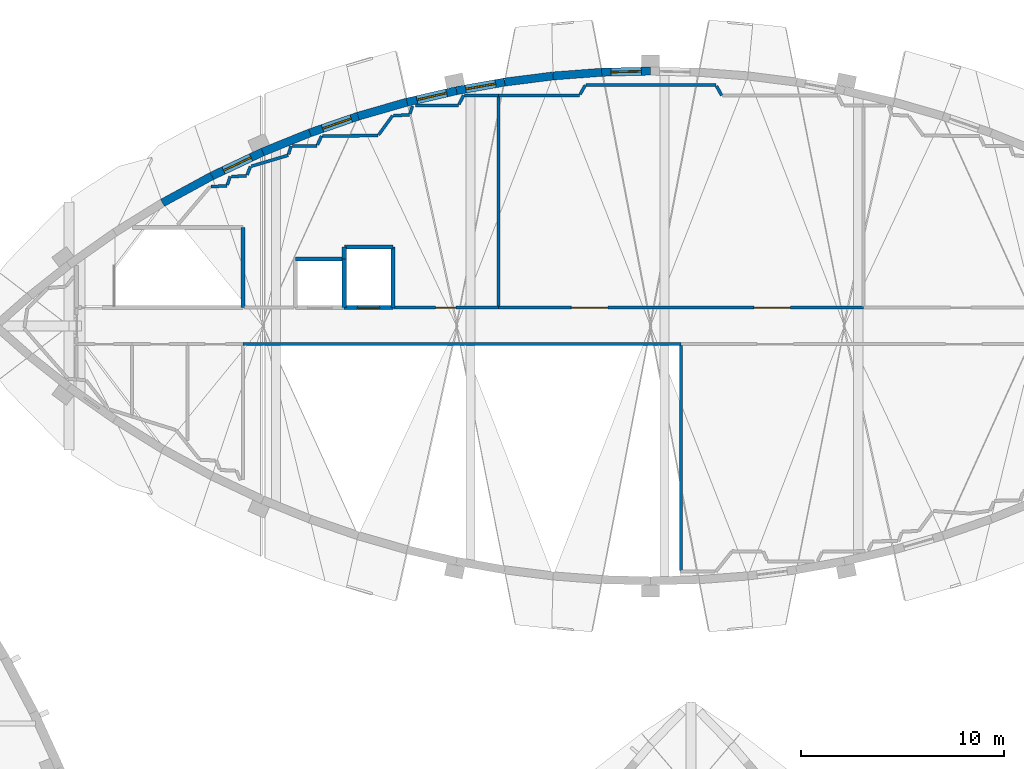
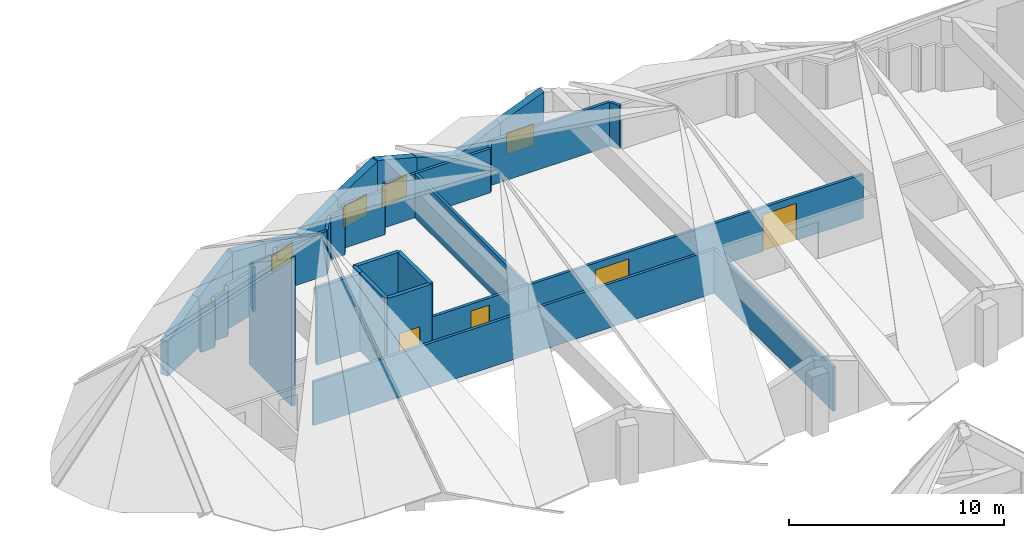
# One storey, part 45 of 56: 41 walls, 5 windows, 4 doors, 9 openings.
"""IFC4 building model written with IfcOpenShell, lengths in metres."""

from ifc_helpers import new_model, si_unit, direction, frame, frame_2d, origin, place, context, subcontext, project, spatial, polyline, rectangle, outline, extrude, material, layer, layer_set, type_object, element, fill, save


model = new_model("IFC4")

# Units and contexts
model_context = context("Model", 3, precision=1e-05, world=origin(), true_north=direction((0.0, 1.0)))
body_context = subcontext(model_context, "Body", "Model", "MODEL_VIEW")
ifc_project = project(units=[si_unit("LENGTHUNIT", "METRE"), si_unit("AREAUNIT", "SQUARE_METRE"), si_unit("VOLUMEUNIT", "CUBIC_METRE"), si_unit("PLANEANGLEUNIT", "RADIAN"), si_unit("MASSUNIT", "GRAM", prefix="KILO")], contexts=[model_context])

# Site, building, storey
site_placement = place(None, origin())
site = spatial("IfcSite", under=ifc_project, at=site_placement, CompositionType="ELEMENT")
building_placement = place(site_placement, origin())
building = spatial("IfcBuilding", under=site, at=building_placement, Name="Tide Square Theatres", CompositionType="ELEMENT")
storey_placement = place(building_placement, frame((0.0, 0.0, 10.199951171875)))
storey = spatial("IfcBuildingStorey", under=building, at=storey_placement, Name="L02", CompositionType="ELEMENT", Elevation=10.199951171875)

# Walls
ifc_material_1 = material(Name="Gypsum board on steel studs", Category="steel")
ifc_layer_1 = layer(ifc_material_1, 0.14990234375)
ifc_layer_set_1 = layer_set([ifc_layer_1], Name="Gypsum board on steel studs")
wall_type_1 = type_object("IfcWallType", Name="Partition 150 thick", PredefinedType="PARTITIONING", material=ifc_layer_set_1)
wall_1_placement = place(storey_placement, frame((108.326904296875, 104.672119140625, 0.0), z_axis=(0.0, 0.0, 1.0), x_axis=(0.999043832622, 0.043719795282, 0.0)))
element("IfcWall", 1, at=wall_1_placement, inside=storey, type_object=wall_type_1, Name="Rehearsal Block partition", PredefinedType="PARTITIONING", context=body_context, shape_type="SweptSolid", body=[
    extrude(rectangle(XDim=0.787353515625, YDim=0.14990234375, at=frame_2d((0.3935546875, 0.0))), origin(), (0.0, 0.0, 1.0), 2.5),
])
wall_2_placement = place(storey_placement, frame((109.13037109375, 104.753662109375, 0.0), z_axis=(0.0, 0.0, 1.0), x_axis=(0.332588918911, 0.943071901298, 0.0)))
element("IfcWall", 2, at=wall_2_placement, inside=storey, type_object=wall_type_1, Name="Rehearsal Block partition", PredefinedType="PARTITIONING", context=body_context, shape_type="SweptSolid", body=[
    extrude(rectangle(XDim=0.44189453125, YDim=0.14990234375, at=frame_2d((0.220947265625, 0.0))), origin(), (0.0, 0.0, 1.0), 2.5),
])
wall_3_placement = place(storey_placement, frame((109.33740234375, 105.172119140625, 0.0), z_axis=(0.0, 0.0, 1.0), x_axis=(0.999580594318, 0.028959203416, 0.0)))
element("IfcWall", 3, at=wall_3_placement, inside=storey, type_object=wall_type_1, Name="Rehearsal Block partition", PredefinedType="PARTITIONING", context=body_context, shape_type="SweptSolid", body=[
    extrude(rectangle(XDim=0.750244140625, YDim=0.14990234375, at=frame_2d((0.375, 0.0))), origin(), (0.0, 0.0, 1.0), 2.5),
])
wall_4_placement = place(storey_placement, frame((110.10986328125, 105.24951171875, 0.0), z_axis=(0.0, 0.0, 1.0), x_axis=(0.372238703151, 0.928137030765, 0.0)))
element("IfcWall", 4, at=wall_4_placement, inside=storey, type_object=wall_type_1, Name="Rehearsal Block partition", PredefinedType="PARTITIONING", context=body_context, shape_type="SweptSolid", body=[
    extrude(rectangle(XDim=0.446533203125, YDim=0.14990234375, at=frame_2d((0.22314453125, 0.0))), origin(), (0.0, 0.0, 1.0), 2.5),
])
wall_5_placement = place(storey_placement, frame((110.32421875, 105.67822265625, 0.0), z_axis=(0.0, 0.0, 1.0), x_axis=(0.958742065744, 0.284277419736, 0.0)))
element("IfcWall", 5, at=wall_5_placement, inside=storey, type_object=wall_type_1, Name="Rehearsal Block partition", PredefinedType="PARTITIONING", context=body_context, shape_type="SweptSolid", body=[
    extrude(rectangle(XDim=1.89013671875, YDim=0.14990234375, at=frame_2d((0.945068359375, 0.0))), origin(), (0.0, 0.0, 1.0), 2.5),
])
wall_6_placement = place(storey_placement, frame((112.151123046875, 106.263427734375, 0.0), z_axis=(0.0, 0.0, 1.0), x_axis=(0.293804120927, 0.955865648785, 0.0)))
element("IfcWall", 6, at=wall_6_placement, inside=storey, type_object=wall_type_1, Name="Rehearsal Block partition", PredefinedType="PARTITIONING", context=body_context, shape_type="SweptSolid", body=[
    extrude(rectangle(XDim=0.42626953125, YDim=0.14990234375, at=frame_2d((0.213134765625, 0.0))), origin(), (0.0, 0.0, 1.0), 2.5),
])
wall_7_placement = place(storey_placement, frame((112.33642578125, 106.67138671875, 0.0), z_axis=(0.0, 0.0, 1.0), x_axis=(0.999946204464, 0.010372472099, 0.0)))
element("IfcWall", 7, at=wall_7_placement, inside=storey, type_object=wall_type_1, Name="Rehearsal Block partition", PredefinedType="PARTITIONING", context=body_context, shape_type="SweptSolid", body=[
    extrude(rectangle(XDim=1.223876953125, YDim=0.14990234375, at=frame_2d((0.61181640625, 0.0))), origin(), (0.0, 0.0, 1.0), 2.5),
])
wall_8_placement = place(storey_placement, frame((113.580810546875, 106.729736328125, 0.0), z_axis=(0.0, 0.0, 1.0), x_axis=(0.411978497376, 0.911193567635, 0.0)))
element("IfcWall", 8, at=wall_8_placement, inside=storey, type_object=wall_type_1, Name="Rehearsal Block partition", PredefinedType="PARTITIONING", context=body_context, shape_type="SweptSolid", body=[
    extrude(rectangle(XDim=0.484130859375, YDim=0.14990234375, at=frame_2d((0.2421875, 0.0))), origin(), (0.0, 0.0, 1.0), 2.5),
])
wall_9_placement = place(storey_placement, frame((113.830078125, 107.17138671875, 0.0), z_axis=(0.0, 0.0, 1.0), x_axis=(0.99998881359, 0.004729978324, 0.0)))
element("IfcWall", 9, at=wall_9_placement, inside=storey, type_object=wall_type_1, Name="Rehearsal Block partition", PredefinedType="PARTITIONING", context=body_context, shape_type="SweptSolid", body=[
    extrude(rectangle(XDim=2.735595703125, YDim=0.14990234375, at=frame_2d((1.36767578125, 0.0))), origin(), (0.0, 0.0, 1.0), 2.5),
])
wall_10_placement = place(storey_placement, frame((116.59521484375, 107.224609375, 0.0), z_axis=(0.0, 0.0, 1.0), x_axis=(0.589336661514, 0.807887553682, 0.0)))
element("IfcWall", 10, at=wall_10_placement, inside=storey, type_object=wall_type_1, Name="Rehearsal Block partition", PredefinedType="PARTITIONING", context=body_context, shape_type="SweptSolid", body=[
    extrude(rectangle(XDim=1.170654296875, YDim=0.14990234375, at=frame_2d((0.58544921875, 0.0))), origin(), (0.0, 0.0, 1.0), 2.5),
])
wall_11_placement = place(storey_placement, frame((117.3349609375, 108.172607421875, 0.0), z_axis=(0.0, 0.0, 1.0), x_axis=(0.999051423673, 0.043545985541, 0.0)))
element("IfcWall", 11, at=wall_11_placement, inside=storey, type_object=wall_type_1, Name="Rehearsal Block partition", PredefinedType="PARTITIONING", context=body_context, shape_type="SweptSolid", body=[
    extrude(rectangle(XDim=0.779296875, YDim=0.14990234375, at=frame_2d((0.3896484375, 0.0))), origin(), (0.0, 0.0, 1.0), 2.5),
])
wall_12_placement = place(storey_placement, frame((118.133544921875, 108.262939453125, 0.0), z_axis=(0.0, 0.0, 1.0), x_axis=(0.333073521095, 0.94290085881, 0.0)))
element("IfcWall", 12, at=wall_12_placement, inside=storey, type_object=wall_type_1, Name="Rehearsal Block partition", PredefinedType="PARTITIONING", context=body_context, shape_type="SweptSolid", body=[
    extrude(rectangle(XDim=0.403076171875, YDim=0.14990234375, at=frame_2d((0.20166015625, 0.0))), origin(), (0.0, 0.0, 1.0), 2.5),
])
wall_13_placement = place(storey_placement, frame((131.5, 96.89990234375, 0.0), z_axis=(0.0, 0.0, 1.0), x_axis=(-1.0, 0.0, 0.0)))
element("IfcWall", 13, at=wall_13_placement, inside=storey, type_object=wall_type_1, Name="Rehearsal Block partition", PredefinedType="PARTITIONING", context=body_context, shape_type="SweptSolid", body=[
    extrude(rectangle(XDim=21.60009765625, YDim=0.14990234375, at=frame_2d((10.800048828125, 0.0))), origin(), (0.0, 0.0, 1.0), 2.5),
])

# Wall, opening, door
wall_14_placement = place(storey_placement, frame((117.330078125, 98.699951171875, 0.0), z_axis=(0.0, 0.0, 1.0), x_axis=(1.0, 0.0, 0.0)))
wall_14 = element("IfcWall", 14, at=wall_14_placement, inside=storey, type_object=wall_type_1, Name="Rehearsal Block partition", PredefinedType="PARTITIONING", context=body_context, shape_type="SweptSolid", body=[
    extrude(rectangle(XDim=5.169921875, YDim=0.14990234375, at=frame_2d((2.5849609375, 0.0))), origin(), (0.0, 0.0, 1.0), 2.5),
])
opening_1_placement = place(wall_14_placement, frame((2.070068359375, 0.0, 0.0)))
opening_1 = element("IfcOpeningElement", 15, at=opening_1_placement, cuts=wall_14, Name="Opening R2-11", PredefinedType="OPENING", context=body_context, shape_type="SweptSolid", body=[
    extrude(rectangle(XDim=1.0, YDim=2.10009765625, at=frame_2d((0.5, 1.050048828125))), frame((0.0, 0.0849609375, 0.0), z_axis=(0.0, -1.0, 0.0), x_axis=(1.0, 0.0, 0.0)), (0.0, 0.0, 1.0), 0.169921875),
])
ifc_material_2 = material(Name="Hardwood timber", Category="wood")
door_type_1 = type_object("IfcDoorType", Name="Door 1000 x 2100 single leaf", OperationType="NOTDEFINED", PredefinedType="DOOR", material=ifc_material_2)
door_1_placement = place(opening_1_placement, origin())
door_1 = element("IfcDoor", 16, at=door_1_placement, inside=storey, type_object=door_type_1, Name="Rehearsal Block door R2-11 to Company Offices", OperationType="SINGLE_SWING_RIGHT", OverallHeight=2.10009765625, OverallWidth=1.0, PredefinedType="DOOR", context=body_context, shape_type="SweptSolid", body=[
    extrude(rectangle(XDim=1.0, YDim=2.10009765625, at=frame_2d((0.5, 1.050048828125))), frame((0.0, 0.02490234375, 0.0), z_axis=(0.0, -1.0, 0.0), x_axis=(1.0, 0.0, 0.0)), (0.0, 0.0, 1.0), 0.050048828125),
])
fill(opening_1, door_1)

# Walls
wall_15_placement = place(storey_placement, frame((118.40966796875, 108.67138671875, 0.0), z_axis=(0.0, 0.0, 1.0), x_axis=(0.999996499871, 0.00264579771, 0.0)))
element("IfcWall", 17, at=wall_15_placement, inside=storey, type_object=wall_type_1, Name="Rehearsal Block partition", PredefinedType="PARTITIONING", context=body_context, shape_type="SweptSolid", body=[
    extrude(rectangle(XDim=2.122314453125, YDim=0.14990234375, at=frame_2d((1.06103515625, 0.0))), origin(), (0.0, 0.0, 1.0), 2.5),
])
wall_16_placement = place(storey_placement, frame((120.554443359375, 108.721435546875, 0.0), z_axis=(0.0, 0.0, 1.0), x_axis=(0.450699478725, 0.892675741732, 0.0)))
element("IfcWall", 18, at=wall_16_placement, inside=storey, type_object=wall_type_1, Name="Rehearsal Block partition", PredefinedType="PARTITIONING", context=body_context, shape_type="SweptSolid", body=[
    extrude(rectangle(XDim=0.503662109375, YDim=0.14990234375, at=frame_2d((0.251953125, 0.0))), origin(), (0.0, 0.0, 1.0), 2.5),
])
wall_17_placement = place(storey_placement, frame((120.831298828125, 109.171142578125, 0.0), z_axis=(0.0, 0.0, 1.0), x_axis=(0.999999957189, 0.000292611546, 0.0)))
element("IfcWall", 19, at=wall_17_placement, inside=storey, type_object=wall_type_1, Name="Rehearsal Block partition", PredefinedType="PARTITIONING", context=body_context, shape_type="SweptSolid", body=[
    extrude(rectangle(XDim=1.668701171875, YDim=0.14990234375, at=frame_2d((0.83447265625, 0.0))), origin(), (0.0, 0.0, 1.0), 2.5),
])

# Wall, openings, doors
wall_18_placement = place(storey_placement, frame((122.5, 98.699951171875, 0.0), z_axis=(0.0, 0.0, 1.0), x_axis=(1.0, 0.0, 0.0)))
wall_18 = element("IfcWall", 20, at=wall_18_placement, inside=storey, type_object=wall_type_1, Name="Rehearsal Block partition", PredefinedType="PARTITIONING", context=body_context, shape_type="SweptSolid", body=[
    extrude(rectangle(XDim=18.0, YDim=0.14990234375, at=frame_2d((9.0, 0.0))), origin(), (0.0, 0.0, 1.0), 2.5),
])
opening_2_placement = place(wall_18_placement, frame((12.60009765625, 0.0, 0.0)))
opening_2 = element("IfcOpeningElement", 21, at=opening_2_placement, cuts=wall_18, Name="Opening R2-12", PredefinedType="OPENING", context=body_context, shape_type="SweptSolid", body=[
    extrude(rectangle(XDim=1.800048828125, YDim=2.10009765625, at=frame_2d((0.89990234375, 1.050048828125))), frame((0.0, 0.0849609375, 0.0), z_axis=(0.0, -1.0, 0.0), x_axis=(1.0, 0.0, 0.0)), (0.0, 0.0, 1.0), 0.169921875),
])
opening_3_placement = place(wall_18_placement, frame((3.60009765625, 0.0, 0.0)))
opening_3 = element("IfcOpeningElement", 22, at=opening_3_placement, cuts=wall_18, Name="Opening R2-13", PredefinedType="OPENING", context=body_context, shape_type="SweptSolid", body=[
    extrude(rectangle(XDim=1.800048828125, YDim=2.10009765625, at=frame_2d((0.89990234375, 1.050048828125))), frame((0.0, 0.0849609375, 0.0), z_axis=(0.0, -1.0, 0.0), x_axis=(1.0, 0.0, 0.0)), (0.0, 0.0, 1.0), 0.169921875),
])
ifc_material_3 = material(Name="Hardwood timber", Category="wood")
door_type_2 = type_object("IfcDoorType", Name="Door 1800 x 2100 double leaf", OperationType="DOUBLE_DOOR_SINGLE_SWING", PredefinedType="DOOR", material=ifc_material_3)
door_2_placement = place(opening_2_placement, origin())
door_2 = element("IfcDoor", 23, at=door_2_placement, inside=storey, type_object=door_type_2, Name="Rehearsal Block door R2-12 to Rehearsal Room 05", OperationType="DOUBLE_DOOR_SINGLE_SWING", OverallHeight=2.10009765625, OverallWidth=1.800048828125, PredefinedType="DOOR", context=body_context, shape_type="SweptSolid", body=[
    extrude(rectangle(XDim=1.800048828125, YDim=2.10009765625, at=frame_2d((0.89990234375, 1.050048828125))), frame((0.0, 0.02490234375, 0.0), z_axis=(0.0, -1.0, 0.0), x_axis=(1.0, 0.0, 0.0)), (0.0, 0.0, 1.0), 0.050048828125),
])
fill(opening_2, door_2)
door_3_placement = place(opening_3_placement, origin())
door_3 = element("IfcDoor", 24, at=door_3_placement, inside=storey, type_object=door_type_2, Name="Rehearsal Block door R2-13 to Rehearsal Room 05", OperationType="DOUBLE_DOOR_SINGLE_SWING", OverallHeight=2.10009765625, OverallWidth=1.800048828125, PredefinedType="DOOR", context=body_context, shape_type="SweptSolid", body=[
    extrude(rectangle(XDim=1.800048828125, YDim=2.10009765625, at=frame_2d((0.89990234375, 1.050048828125))), frame((0.0, 0.02490234375, 0.0), z_axis=(0.0, -1.0, 0.0), x_axis=(1.0, 0.0, 0.0)), (0.0, 0.0, 1.0), 0.050048828125),
])
fill(opening_3, door_3)

# Walls
wall_19_placement = place(storey_placement, frame((122.5, 109.111572265625, 0.0), z_axis=(0.0, 0.0, 1.0), x_axis=(0.0, -1.0, 0.0)))
element("IfcWall", 25, at=wall_19_placement, inside=storey, type_object=wall_type_1, Name="Rehearsal Block partition", PredefinedType="PARTITIONING", context=body_context, shape_type="SweptSolid", body=[
    extrude(rectangle(XDim=10.3515625, YDim=0.14990234375, at=frame_2d((5.17578125, 0.0))), origin(), (0.0, 0.0, 1.0), 2.5),
])
wall_20_placement = place(storey_placement, frame((122.5, 109.171630859375, 0.0), z_axis=(0.0, 0.0, 1.0), x_axis=(0.999999970241, 0.000243961935, 0.0)))
element("IfcWall", 26, at=wall_20_placement, inside=storey, type_object=wall_type_1, Name="Rehearsal Block partition", PredefinedType="PARTITIONING", context=body_context, shape_type="SweptSolid", body=[
    extrude(rectangle(XDim=4.0029296875, YDim=0.14990234375, at=frame_2d((2.00146484375, 0.0))), origin(), (0.0, 0.0, 1.0), 2.5),
])
wall_21_placement = place(storey_placement, frame((126.527587890625, 109.216064453125, 0.0), z_axis=(0.0, 0.0, 1.0), x_axis=(0.489016553908, 0.872274503814, 0.0)))
element("IfcWall", 27, at=wall_21_placement, inside=storey, type_object=wall_type_1, Name="Rehearsal Block partition", PredefinedType="PARTITIONING", context=body_context, shape_type="SweptSolid", body=[
    extrude(rectangle(XDim=0.521728515625, YDim=0.14990234375, at=frame_2d((0.2607421875, 0.0))), origin(), (0.0, 0.0, 1.0), 2.5),
])
wall_22_placement = place(storey_placement, frame((126.83251953125, 109.671142578125, 0.0), z_axis=(0.0, 0.0, 1.0), x_axis=(0.999999999272, 3.8165026e-05, 0.0)))
element("IfcWall", 28, at=wall_22_placement, inside=storey, type_object=wall_type_1, Name="Rehearsal Block partition", PredefinedType="PARTITIONING", context=body_context, shape_type="SweptSolid", body=[
    extrude(rectangle(XDim=6.39697265625, YDim=0.14990234375, at=frame_2d((3.198486328125, 0.0))), origin(), (0.0, 0.0, 1.0), 2.5),
])
wall_23_placement = place(storey_placement, frame((133.25390625, 109.627685546875, 0.0), z_axis=(0.0, 0.0, 1.0), x_axis=(0.489016553908, -0.872274503814, 0.0)))
element("IfcWall", 29, at=wall_23_placement, inside=storey, type_object=wall_type_1, Name="Rehearsal Block partition", PredefinedType="PARTITIONING", context=body_context, shape_type="SweptSolid", body=[
    extrude(rectangle(XDim=0.521728515625, YDim=0.14990234375, at=frame_2d((0.2607421875, 0.0))), origin(), (0.0, 0.0, 1.0), 2.5),
])
wall_24_placement = place(storey_placement, frame((131.5, 96.840087890625, 0.0), z_axis=(0.0, 0.0, 1.0), x_axis=(0.0, -1.0, 0.0)))
element("IfcWall", 30, at=wall_24_placement, inside=storey, type_object=wall_type_1, Name="Rehearsal Block partition", PredefinedType="PARTITIONING", context=body_context, shape_type="SweptSolid", body=[
    extrude(rectangle(XDim=11.088623046875, YDim=0.14990234375, at=frame_2d((5.54443359375, 0.0))), origin(), (0.0, 0.0, 1.0), 2.5),
])

# Wall, opening, window
ifc_material_4 = material(Name="Concrete C40", Category="concrete")
ifc_layer_2 = layer(ifc_material_4, 0.39990234375)
ifc_layer_set_2 = layer_set([ifc_layer_2], Name="Concrete C40")
wall_type_2 = type_object("IfcWallType", Name="RC curved wall 400 thick", PredefinedType="SOLIDWALL", material=ifc_layer_set_2)
wall_25_placement = place(storey_placement, frame((130.0, 110.36865234375, 0.0), z_axis=(0.0, 0.0, 1.0), x_axis=(-0.999683321759, -0.025164582196, 0.0)))
wall_25 = element("IfcWall", 31, at=wall_25_placement, inside=storey, type_object=wall_type_2, Name="Rehearsal Block perimeter wall 042", PredefinedType="SOLIDWALL", context=body_context, shape_type="SweptSolid", body=[
    extrude(outline(polyline([(0.0, 0.0), (2.406005859375, 0.0), (2.406005859375, 2.958740234375), (2.372802734375, 2.971435546875), (0.0634765625, 3.835205078125), (0.0, 3.85888671875), (0.0, 0.0)])), frame((0.0, 0.199951171875, 0.0), z_axis=(0.0, -1.0, 0.0), x_axis=(1.0, 0.0, 0.0)), (0.0, 0.0, 1.0), 0.39990234375),
])
opening_4_placement = place(wall_25_placement, frame((0.452880859375, 0.0, 0.89990234375)))
opening_4 = element("IfcOpeningElement", 32, at=opening_4_placement, cuts=wall_25, Name="Opening WN-03", PredefinedType="OPENING", context=body_context, shape_type="SweptSolid", body=[
    extrude(rectangle(XDim=1.5, YDim=1.199951171875, at=frame_2d((0.75, 0.60009765625))), frame((0.0, 0.2099609375, 0.0), z_axis=(0.0, -1.0, 0.0), x_axis=(1.0, 0.0, 0.0)), (0.0, 0.0, 1.0), 0.419921875),
])
ifc_material_5 = material(Name="Aluminium with laminated glass", Category="aluminium")
window_type_1 = type_object("IfcWindowType", Name="Window 1500 x 1200", PartitioningType="SINGLE_PANEL", PredefinedType="WINDOW", material=ifc_material_5)
window_1_placement = place(opening_4_placement, origin())
window_1 = element("IfcWindow", 33, at=window_1_placement, inside=storey, type_object=window_type_1, Name="Rehearsal Block window L02-99", OverallHeight=1.199951171875, OverallWidth=1.5, PartitioningType="SINGLE_PANEL", PredefinedType="WINDOW", context=body_context, shape_type="SweptSolid", body=[
    extrude(rectangle(XDim=1.5, YDim=1.199951171875, at=frame_2d((0.75, 0.60009765625))), frame((0.0, 0.030029296875, 0.0), z_axis=(0.0, -1.0, 0.0), x_axis=(1.0, 0.0, 0.0)), (0.0, 0.0, 1.0), 0.06005859375),
])
fill(opening_4, window_1)

# Walls
wall_26_placement = place(storey_placement, frame((127.5947265625, 110.30810546875, 0.0), z_axis=(0.0, 0.0, 1.0), x_axis=(-0.997153910364, -0.075392831525, 0.0)))
element("IfcWall", 34, at=wall_26_placement, inside=storey, type_object=wall_type_2, Name="Rehearsal Block perimeter wall 043", PredefinedType="SOLIDWALL", context=body_context, shape_type="SweptSolid", body=[
    extrude(outline(polyline([(0.0, 0.0), (2.406005859375, 0.0), (2.406005859375, 2.066650390625), (2.395751953125, 2.06298828125), (2.344970703125, 2.077392578125), (0.0, 2.955322265625), (0.0, 0.0)])), frame((0.0, 0.199951171875, 0.0), z_axis=(0.0, -1.0, 0.0), x_axis=(1.0, 0.0, 0.0)), (0.0, 0.0, 1.0), 0.39990234375),
])
wall_27_placement = place(storey_placement, frame((125.195556640625, 110.126708984375, 0.0), z_axis=(0.0, 0.0, 1.0), x_axis=(-0.99208939311, -0.125533406227, 0.0)))
element("IfcWall", 35, at=wall_27_placement, inside=storey, type_object=wall_type_2, Name="Rehearsal Block perimeter wall 044", PredefinedType="SOLIDWALL", context=body_context, shape_type="SweptSolid", body=[
    extrude(outline(polyline([(0.0, 0.0), (2.40576171875, 0.0), (2.406005859375, 2.969482421875), (2.339599609375, 2.945556640625), (0.107666015625, 2.110595703125), (0.0, 2.0703125), (0.0, 0.0)])), frame((0.0, 0.199951171875, 0.0), z_axis=(0.0, -1.0, 0.0), x_axis=(1.0, 0.0, 0.0)), (0.0, 0.0, 1.0), 0.39990234375),
])

# Wall, opening, window
wall_28_placement = place(storey_placement, frame((122.808837890625, 109.82470703125, 0.0), z_axis=(0.0, 0.0, 1.0), x_axis=(-0.984524011381, -0.175249738987, 0.0)))
wall_28 = element("IfcWall", 36, at=wall_28_placement, inside=storey, type_object=wall_type_2, Name="Rehearsal Block perimeter wall 045", PredefinedType="SOLIDWALL", context=body_context, shape_type="SweptSolid", body=[
    extrude(outline(polyline([(0.0, 0.0), (2.406005859375, 0.0), (2.406005859375, 3.832763671875), (2.356689453125, 3.854736328125), (2.285400390625, 3.828125), (0.07763671875, 3.002197265625), (0.0, 2.97314453125), (0.0, 0.0)])), frame((0.0, 0.199951171875, 0.0), z_axis=(0.0, -1.0, 0.0), x_axis=(1.0, 0.0, 0.0)), (0.0, 0.0, 1.0), 0.39990234375),
])
opening_5_placement = place(wall_28_placement, frame((0.452880859375, 0.0, 0.89990234375)))
opening_5 = element("IfcOpeningElement", 37, at=opening_5_placement, cuts=wall_28, Name="Opening WN-03", PredefinedType="OPENING", context=body_context, shape_type="SweptSolid", body=[
    extrude(rectangle(XDim=1.5, YDim=1.199951171875, at=frame_2d((0.75, 0.60009765625))), frame((0.0, 0.2099609375, 0.0), z_axis=(0.0, -1.0, 0.0), x_axis=(1.0, 0.0, 0.0)), (0.0, 0.0, 1.0), 0.419921875),
])
window_2_placement = place(opening_5_placement, origin())
window_2 = element("IfcWindow", 38, at=window_2_placement, inside=storey, type_object=window_type_1, Name="Rehearsal Block window L02-100", OverallHeight=1.199951171875, OverallWidth=1.5, PartitioningType="SINGLE_PANEL", PredefinedType="WINDOW", context=body_context, shape_type="SweptSolid", body=[
    extrude(rectangle(XDim=1.5, YDim=1.199951171875, at=frame_2d((0.75, 0.60009765625))), frame((0.0, 0.030029296875, 0.0), z_axis=(0.0, -1.0, 0.0), x_axis=(1.0, 0.0, 0.0)), (0.0, 0.0, 1.0), 0.06005859375),
])
fill(opening_5, window_2)

wall_29_placement = place(storey_placement, frame((120.440185546875, 109.403076171875, 0.0), z_axis=(0.0, 0.0, 1.0), x_axis=(-0.974189274843, -0.225732710925, 0.0)))
wall_29 = element("IfcWall", 39, at=wall_29_placement, inside=storey, type_object=wall_type_2, Name="Rehearsal Block perimeter wall 046", PredefinedType="SOLIDWALL", context=body_context, shape_type="SweptSolid", body=[
    extrude(outline(polyline([(0.0, 0.0), (2.511474609375, 0.0), (2.51123046875, 2.9267578125), (0.085693359375, 3.798095703125), (0.0, 3.828857421875), (0.0, 0.0)])), frame((0.0, 0.199951171875, 0.0), z_axis=(0.0, -1.0, 0.0), x_axis=(1.0, 0.0, 0.0)), (0.0, 0.0, 1.0), 0.39990234375),
])
opening_6_placement = place(wall_29_placement, frame((0.505615234375, 0.0, 0.89990234375)))
opening_6 = element("IfcOpeningElement", 40, at=opening_6_placement, cuts=wall_29, Name="Opening WN-03", PredefinedType="OPENING", context=body_context, shape_type="SweptSolid", body=[
    extrude(rectangle(XDim=1.5, YDim=1.199951171875, at=frame_2d((0.75, 0.60009765625))), frame((0.0, 0.2099609375, 0.0), z_axis=(0.0, -1.0, 0.0), x_axis=(1.0, 0.0, 0.0)), (0.0, 0.0, 1.0), 0.419921875),
])
window_3_placement = place(opening_6_placement, origin())
window_3 = element("IfcWindow", 41, at=window_3_placement, inside=storey, type_object=window_type_1, Name="Rehearsal Block window L02-101", OverallHeight=1.199951171875, OverallWidth=1.5, PartitioningType="SINGLE_PANEL", PredefinedType="WINDOW", context=body_context, shape_type="SweptSolid", body=[
    extrude(rectangle(XDim=1.5, YDim=1.199951171875, at=frame_2d((0.75, 0.60009765625))), frame((0.0, 0.030029296875, 0.0), z_axis=(0.0, -1.0, 0.0), x_axis=(1.0, 0.0, 0.0)), (0.0, 0.0, 1.0), 0.06005859375),
])
fill(opening_6, window_3)

# Wall
wall_30_placement = place(storey_placement, frame((117.99365234375, 108.836181640625, 0.0), z_axis=(0.0, 0.0, 1.0), x_axis=(-0.961008605775, -0.276518461637, 0.0)))
element("IfcWall", 42, at=wall_30_placement, inside=storey, type_object=wall_type_2, Name="Rehearsal Block perimeter wall 047", PredefinedType="SOLIDWALL", context=body_context, shape_type="SweptSolid", body=[
    extrude(outline(polyline([(0.0, 0.0), (2.510986328125, 0.0), (2.510986328125, 2.036865234375), (2.47900390625, 2.034423828125), (0.0, 2.9228515625), (0.0, 0.0)])), frame((0.0, 0.199951171875, 0.0), z_axis=(0.0, -1.0, 0.0), x_axis=(1.0, 0.0, 0.0)), (0.0, 0.0, 1.0), 0.39990234375),
])

# Wall, opening, window
wall_31_placement = place(storey_placement, frame((115.58056640625, 108.141845703125, 0.0), z_axis=(0.0, 0.0, 1.0), x_axis=(-0.945175475032, -0.326562890417, 0.0)))
wall_31 = element("IfcWall", 43, at=wall_31_placement, inside=storey, type_object=wall_type_2, Name="Rehearsal Block perimeter wall 048", PredefinedType="SOLIDWALL", context=body_context, shape_type="SweptSolid", body=[
    extrude(outline(polyline([(0.0, 0.0), (2.51123046875, 0.0), (2.510986328125, 2.93603515625), (2.382080078125, 2.89404296875), (0.189697265625, 2.1083984375), (0.0, 2.040283203125), (0.0, 0.0)])), frame((0.0, 0.199951171875, 0.0), z_axis=(0.0, -1.0, 0.0), x_axis=(1.0, 0.0, 0.0)), (0.0, 0.0, 1.0), 0.39990234375),
])
opening_7_placement = place(wall_31_placement, frame((0.35546875, 0.0, 0.89990234375)))
opening_7 = element("IfcOpeningElement", 44, at=opening_7_placement, cuts=wall_31, Name="Opening WN-04", PredefinedType="OPENING", context=body_context, shape_type="SweptSolid", body=[
    extrude(rectangle(XDim=1.5, YDim=0.89990234375, at=frame_2d((0.75, 0.449951171875))), frame((0.0, 0.2099609375, 0.0), z_axis=(0.0, -1.0, 0.0), x_axis=(1.0, 0.0, 0.0)), (0.0, 0.0, 1.0), 0.419921875),
])
ifc_material_6 = material(Name="Aluminium with laminated glass", Category="aluminium")
window_type_2 = type_object("IfcWindowType", Name="Window 1500 x 900", PartitioningType="SINGLE_PANEL", PredefinedType="WINDOW", material=ifc_material_6)
window_4_placement = place(opening_7_placement, origin())
window_4 = element("IfcWindow", 45, at=window_4_placement, inside=storey, type_object=window_type_2, Name="Rehearsal Block window L02-102", OverallHeight=0.89990234375, OverallWidth=1.5, PartitioningType="SINGLE_PANEL", PredefinedType="WINDOW", context=body_context, shape_type="SweptSolid", body=[
    extrude(rectangle(XDim=1.5, YDim=0.89990234375, at=frame_2d((0.75, 0.449951171875))), frame((0.0, 0.030029296875, 0.0), z_axis=(0.0, -1.0, 0.0), x_axis=(1.0, 0.0, 0.0)), (0.0, 0.0, 1.0), 0.06005859375),
])
fill(opening_7, window_4)

# Wall
wall_32_placement = place(storey_placement, frame((113.20703125, 107.32177734375, 0.0), z_axis=(0.0, 0.0, 1.0), x_axis=(-0.926688932252, -0.375829246921, 0.0)))
element("IfcWall", 46, at=wall_32_placement, inside=storey, type_object=wall_type_2, Name="Rehearsal Block perimeter wall 049", PredefinedType="SOLIDWALL", context=body_context, shape_type="SweptSolid", body=[
    extrude(outline(polyline([(0.0, 0.0), (2.5107421875, 0.0), (2.5107421875, 3.745849609375), (2.48095703125, 3.757080078125), (2.39990234375, 3.800048828125), (2.318603515625, 3.770751953125), (0.144287109375, 2.991455078125), (0.0, 2.939697265625), (0.0, 0.0)])), frame((0.0, 0.199951171875, 0.0), z_axis=(0.0, -1.0, 0.0), x_axis=(1.0, 0.0, 0.0)), (0.0, 0.0, 1.0), 0.39990234375),
])

# Wall, opening, window
wall_33_placement = place(storey_placement, frame((110.88037109375, 106.378173828125, 0.0), z_axis=(0.0, 0.0, 1.0), x_axis=(-0.904561064695, -0.42634408667, 0.0)))
wall_33 = element("IfcWall", 47, at=wall_33_placement, inside=storey, type_object=wall_type_2, Name="Rehearsal Block perimeter wall 050", PredefinedType="SOLIDWALL", context=body_context, shape_type="SweptSolid", body=[
    extrude(outline(polyline([(0.0, 0.0), (2.772216796875, 0.0), (2.772216796875, 2.837158203125), (2.749267578125, 2.845947265625), (0.2080078125, 3.674560546875), (0.11376953125, 3.705078125), (0.0, 3.741943359375), (0.0, 0.0)])), frame((0.0, 0.199951171875, 0.0), z_axis=(0.0, -1.0, 0.0), x_axis=(1.0, 0.0, 0.0)), (0.0, 0.0, 1.0), 0.39990234375),
])
opening_8_placement = place(wall_33_placement, frame((0.635986328125, 0.0, 0.89990234375)))
opening_8 = element("IfcOpeningElement", 48, at=opening_8_placement, cuts=wall_33, Name="Opening WN-03", PredefinedType="OPENING", context=body_context, shape_type="SweptSolid", body=[
    extrude(rectangle(XDim=1.5, YDim=1.199951171875, at=frame_2d((0.75, 0.60009765625))), frame((0.0, 0.2099609375, 0.0), z_axis=(0.0, -1.0, 0.0), x_axis=(1.0, 0.0, 0.0)), (0.0, 0.0, 1.0), 0.419921875),
])
window_5_placement = place(opening_8_placement, origin())
window_5 = element("IfcWindow", 49, at=window_5_placement, inside=storey, type_object=window_type_1, Name="Rehearsal Block window L02-103", OverallHeight=1.199951171875, OverallWidth=1.5, PartitioningType="SINGLE_PANEL", PredefinedType="WINDOW", context=body_context, shape_type="SweptSolid", body=[
    extrude(rectangle(XDim=1.5, YDim=1.199951171875, at=frame_2d((0.75, 0.60009765625))), frame((0.0, 0.030029296875, 0.0), z_axis=(0.0, -1.0, 0.0), x_axis=(1.0, 0.0, 0.0)), (0.0, 0.0, 1.0), 0.06005859375),
])
fill(opening_8, window_5)

# Walls
wall_34_placement = place(storey_placement, frame((108.372802734375, 105.1962890625, 0.0), z_axis=(0.0, 0.0, 1.0), x_axis=(-0.878255502871, -0.478191668347, 0.0)))
element("IfcWall", 50, at=wall_34_placement, inside=storey, type_object=wall_type_2, Name="Rehearsal Block perimeter wall 051", PredefinedType="SOLIDWALL", context=body_context, shape_type="SweptSolid", body=[
    extrude(outline(polyline([(0.0, 0.0), (2.771728515625, 0.0), (2.771728515625, 1.96630859375), (2.734375, 1.9453125), (0.0, 2.833251953125), (0.0, 0.0)])), frame((0.0, 0.199951171875, 0.0), z_axis=(0.0, -1.0, 0.0), x_axis=(1.0, 0.0, 0.0)), (0.0, 0.0, 1.0), 0.39990234375),
])
ifc_material_7 = material(Name="Concrete C40", Category="concrete")
ifc_layer_3 = layer(ifc_material_7, 0.199951171875)
ifc_layer_set_3 = layer_set([ifc_layer_3], Name="Concrete C40")
wall_type_3 = type_object("IfcWallType", Name="RC shear wall 200 thick", PredefinedType="SHEAR", material=ifc_layer_set_3)
wall_35_placement = place(storey_placement, frame((109.89990234375, 102.64990234375, 0.0), z_axis=(0.0, 0.0, 1.0), x_axis=(0.0, -1.0, 0.0)))
element("IfcWall", 51, at=wall_35_placement, inside=storey, type_object=wall_type_3, Name="Rehearsal Block stair enclosure wall", PredefinedType="SHEAR", context=body_context, shape_type="SweptSolid", body=[
    extrude(outline(polyline([(0.0, 0.0), (3.949951171875, 0.0), (3.949951171875, 8.494384765625), (3.7685546875, 8.314208984375), (3.645751953125, 8.192138671875), (3.52294921875, 8.07861328125), (2.25341796875, 7.23828125), (1.95849609375, 7.04296875), (1.66357421875, 6.851318359375), (0.0, 5.721435546875), (0.0, 0.0)])), frame((0.0, 0.10009765625, 0.0), z_axis=(0.0, -1.0, 0.0), x_axis=(1.0, 0.0, 0.0)), (0.0, 0.0, 1.0), 0.199951171875),
])
wall_36_placement = place(storey_placement, frame((114.89990234375, 101.10009765625, 0.0), z_axis=(0.0, 0.0, 1.0), x_axis=(0.0, 1.0, 0.0)))
element("IfcWall", 52, at=wall_36_placement, inside=storey, type_object=wall_type_3, Name="Rehearsal Block lift shaft wall", PredefinedType="SHEAR", context=body_context, shape_type="SweptSolid", body=[
    extrude(rectangle(XDim=0.599853515625, YDim=0.199951171875, at=frame_2d((0.2998046875, 0.0))), origin(), (0.0, 0.0, 1.0), 4.400146484375),
])
wall_37_placement = place(storey_placement, frame((114.89990234375, 101.699951171875, 0.0), z_axis=(0.0, 0.0, 1.0), x_axis=(1.0, 0.0, 0.0)))
element("IfcWall", 53, at=wall_37_placement, inside=storey, type_object=wall_type_3, Name="Rehearsal Block lift shaft wall", PredefinedType="SHEAR", context=body_context, shape_type="SweptSolid", body=[
    extrude(rectangle(XDim=2.400146484375, YDim=0.199951171875, at=frame_2d((1.2001953125, 0.0))), origin(), (0.0, 0.0, 1.0), 4.400146484375),
])
wall_38_placement = place(storey_placement, frame((117.300048828125, 101.699951171875, 0.0), z_axis=(0.0, 0.0, 1.0), x_axis=(0.0, -1.0, 0.0)))
element("IfcWall", 54, at=wall_38_placement, inside=storey, type_object=wall_type_3, Name="Rehearsal Block lift shaft wall", PredefinedType="SHEAR", context=body_context, shape_type="SweptSolid", body=[
    extrude(rectangle(XDim=3.0, YDim=0.199951171875, at=frame_2d((1.5, 0.0))), origin(), (0.0, 0.0, 1.0), 4.400146484375),
])

# Wall, opening, door
wall_39_placement = place(storey_placement, frame((117.300048828125, 98.699951171875, 0.0), z_axis=(0.0, 0.0, 1.0), x_axis=(-1.0, 0.0, 0.0)))
wall_39 = element("IfcWall", 55, at=wall_39_placement, inside=storey, type_object=wall_type_3, Name="Rehearsal Block lift shaft wall", PredefinedType="SHEAR", context=body_context, shape_type="SweptSolid", body=[
    extrude(rectangle(XDim=2.400146484375, YDim=0.199951171875, at=frame_2d((1.2001953125, 0.0))), origin(), (0.0, 0.0, 1.0), 4.400146484375),
])
opening_9_placement = place(wall_39_placement, frame((0.64990234375, 0.0, 0.0)))
opening_9 = element("IfcOpeningElement", 56, at=opening_9_placement, cuts=wall_39, Name="Opening LD-R2-2", PredefinedType="OPENING", context=body_context, shape_type="SweptSolid", body=[
    extrude(rectangle(XDim=1.10009765625, YDim=2.199951171875, at=frame_2d((0.550048828125, 1.10009765625))), frame((0.0, 0.10986328125, 0.0), z_axis=(0.0, -1.0, 0.0), x_axis=(1.0, 0.0, 0.0)), (0.0, 0.0, 1.0), 0.219970703125),
])
ifc_material_8 = material(Name="Painted steel", Category="steel")
door_type_3 = type_object("IfcDoorType", Name="Door 1100 x 2200 sliding", OperationType="SLIDING_TO_LEFT", PredefinedType="DOOR", material=ifc_material_8)
door_4_placement = place(opening_9_placement, origin())
door_4 = element("IfcDoor", 57, at=door_4_placement, inside=storey, type_object=door_type_3, Name="Rehearsal Block lift landing door 2 L02", OperationType="SLIDING_TO_LEFT", OverallHeight=2.199951171875, OverallWidth=1.10009765625, PredefinedType="DOOR", context=body_context, shape_type="SweptSolid", body=[
    extrude(rectangle(XDim=1.10009765625, YDim=2.199951171875, at=frame_2d((0.550048828125, 1.10009765625))), frame((0.0, 0.02490234375, 0.0), z_axis=(0.0, -1.0, 0.0), x_axis=(1.0, 0.0, 0.0)), (0.0, 0.0, 1.0), 0.050048828125),
])
fill(opening_9, door_4)

# Walls
wall_40_placement = place(storey_placement, frame((114.89990234375, 101.10009765625, 0.0), z_axis=(0.0, 0.0, 1.0), x_axis=(0.0, -1.0, 0.0)))
element("IfcWall", 58, at=wall_40_placement, inside=storey, type_object=wall_type_3, Name="Rehearsal Block lift shaft wall", PredefinedType="SHEAR", context=body_context, shape_type="SweptSolid", body=[
    extrude(rectangle(XDim=2.400146484375, YDim=0.199951171875, at=frame_2d((1.2001953125, 0.0))), origin(), (0.0, 0.0, 1.0), 4.400146484375),
])
wall_41_placement = place(storey_placement, frame((112.5, 101.10009765625, 0.0), z_axis=(0.0, 0.0, 1.0), x_axis=(1.0, 0.0, 0.0)))
element("IfcWall", 59, at=wall_41_placement, inside=storey, type_object=wall_type_3, Name="Rehearsal Block lift shaft wall", PredefinedType="SHEAR", context=body_context, shape_type="SweptSolid", body=[
    extrude(rectangle(XDim=2.39990234375, YDim=0.199951171875, at=frame_2d((1.199951171875, 0.0))), origin(), (0.0, 0.0, 1.0), 4.400146484375),
])

save(model, "model.ifc")
